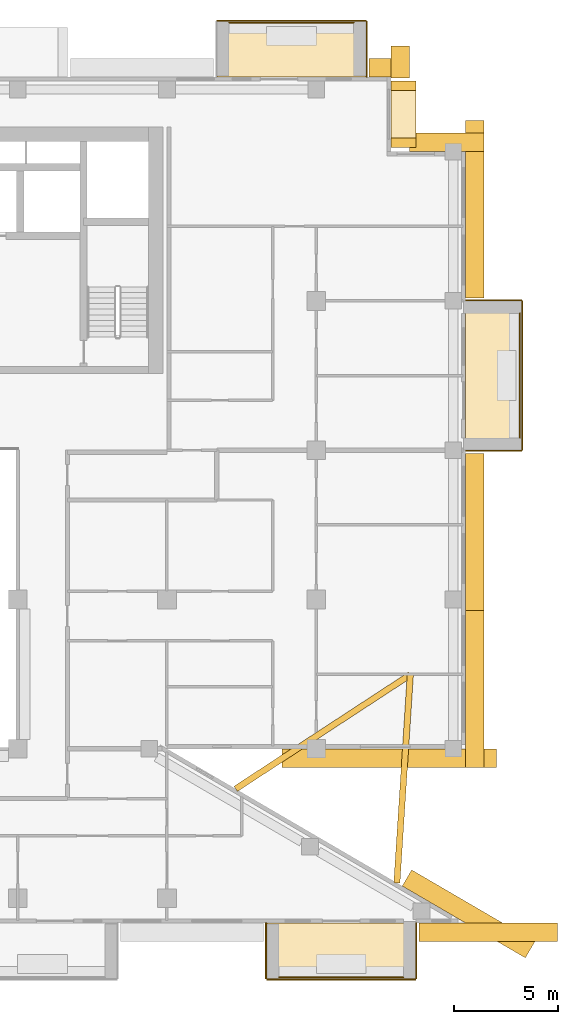
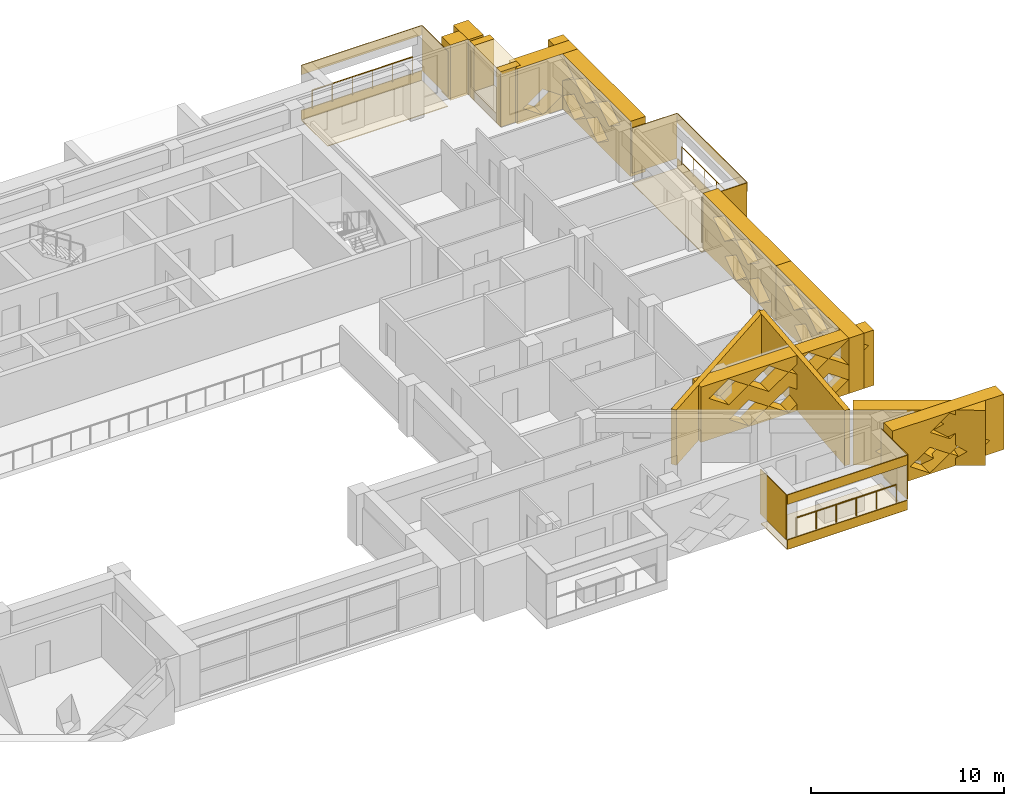
# One storey, part 20 of 20: 29 coverings, 3 railings.
"""IFC4 building model written with IfcOpenShell, lengths in metres."""

import ifcopenshell
import ifcopenshell.guid

model = None  # the IFC model being written
_history = None  # IfcOwnerHistory: only IFC2X3 demands one
_inside = {}  # id of a spatial element -> (the spatial element, [elements in it])
_under = {}  # id of a project, library or spatial element -> (it, [spatial elements below it])
_declared = {}  # id of a project -> (the project, [libraries it declares])
_typed = {}  # id of a type object -> (the type object, [elements of that type])
_made_of = {}  # id of a material, layer set ... -> (it, [elements and type objects made of it])


def new_model(schema):
    """Start an empty IFC model of exactly this schema.

    Asked for "IFC4X3", IfcOpenShell would pick the latest addendum, in which some entities
    have other attributes; the version numbers below select the first issue.
    IFC2X3 requires an IfcOwnerHistory on every rooted entity: one is made here for all.
    """
    global model, _history
    if schema == "IFC4X3":
        model = ifcopenshell.file(schema_version=(4, 3, 0, 0))
    else:
        model = ifcopenshell.file(schema=schema)
    _inside.clear()
    _under.clear()
    _declared.clear()
    _typed.clear()
    _made_of.clear()
    _history = None
    if model.schema == "IFC2X3":
        org = make("IfcOrganization", Name="unknown")
        user = make(
            "IfcPersonAndOrganization",
            ThePerson=make("IfcPerson", FamilyName="unknown"),
            TheOrganization=org,
        )
        app = make(
            "IfcApplication",
            ApplicationDeveloper=org,
            Version="unknown",
            ApplicationFullName="unknown",
            ApplicationIdentifier="unknown",
        )
        _history = make(
            "IfcOwnerHistory",
            OwningUser=user,
            OwningApplication=app,
            ChangeAction="ADDED",
            CreationDate=0,
        )
    return model


def make(cls, **values):
    """One entity of the class cls with the attributes given. An attribute that is None is left unset."""
    return model.create_entity(
        cls, **{name: value for name, value in values.items() if value is not None}
    )


def rooted(cls, **values):
    """An entity with a GlobalId (a new one), such as an element, a storey or a relation."""
    return make(cls, GlobalId=ifcopenshell.guid.new(), OwnerHistory=_history, **values)


def si_unit(unit_type, name, prefix=None):
    """IfcSIUnit, for example si_unit("LENGTHUNIT", "METRE", prefix="MILLI")."""
    return make("IfcSIUnit", UnitType=unit_type, Prefix=prefix, Name=name)


def assignment(units):
    """IfcUnitAssignment: the units of a project."""
    return None if units is None else make("IfcUnitAssignment", Units=units)


def point(xyz):
    """IfcCartesianPoint."""
    return None if xyz is None else make("IfcCartesianPoint", Coordinates=xyz)


def direction(xyz):
    """IfcDirection."""
    return None if xyz is None else make("IfcDirection", DirectionRatios=xyz)


def frame(location, z_axis=None, x_axis=None):
    """IfcAxis2Placement3D, a coordinate frame: its origin and axes. An axis left out is left unset."""
    return make(
        "IfcAxis2Placement3D",
        Location=point(location),
        Axis=direction(z_axis),
        RefDirection=direction(x_axis),
    )


def frame_2d(location, x_axis=None):
    """IfcAxis2Placement2D, a coordinate frame in the plane: its origin and x axis."""
    return make(
        "IfcAxis2Placement2D", Location=point(location), RefDirection=direction(x_axis)
    )


def origin():
    """The frame at (0, 0, 0) with its axes left unset."""
    return frame((0.0, 0.0, 0.0))


def origin_2d():
    """The frame at (0, 0) in the plane with its x axis left unset."""
    return frame_2d((0.0, 0.0))


def place(relative_to, where):
    """IfcLocalPlacement: puts the frame where relative to a parent placement (None: the world)."""
    return make(
        "IfcLocalPlacement", PlacementRelTo=relative_to, RelativePlacement=where
    )


def context(
    kind, dimensions, precision=None, world=None, true_north=None, identifier=None
):
    """IfcGeometricRepresentationContext, for example the 3D "Model" context."""
    return make(
        "IfcGeometricRepresentationContext",
        ContextIdentifier=identifier,
        ContextType=kind,
        CoordinateSpaceDimension=dimensions,
        Precision=precision,
        WorldCoordinateSystem=world,
        TrueNorth=true_north,
    )


def subcontext(parent, identifier, kind, view, scale=None):
    """IfcGeometricRepresentationSubContext, for example "Body" below "Model"."""
    return make(
        "IfcGeometricRepresentationSubContext",
        ContextIdentifier=identifier,
        ContextType=kind,
        ParentContext=parent,
        TargetScale=scale,
        TargetView=view,
    )


def project(units=None, contexts=None):
    """IfcProject with its units and contexts."""
    return rooted(
        "IfcProject",
        Name="project",
        RepresentationContexts=contexts,
        UnitsInContext=assignment(units),
    )


def spatial(cls, under=None, at=None, **own):
    """A site, building, storey or space (cls), placed at a placement, below another one or the project."""
    s = rooted(cls, ObjectPlacement=at, **own)
    if under is not None:
        _under.setdefault(under.id(), (under, []))[1].append(s)
    return s


def polyline(points):
    """IfcPolyline through the points."""
    return make("IfcPolyline", Points=[point(p) for p in points])


def profile(cls, at=None, kind="AREA", **sizes):
    """A parametric profile (cls). Its sizes go by their IFC names, for example OverallWidth=200.0."""
    return make(cls, ProfileType=kind, Position=at, **sizes)


def circle(**sizes):
    """IfcCircleProfileDef."""
    return profile("IfcCircleProfileDef", **sizes)


def outline(outer, holes=None, kind="AREA"):
    """IfcArbitraryClosedProfileDef: a profile drawn as a closed curve; with holes, ...WithVoids."""
    if holes is None:
        return make("IfcArbitraryClosedProfileDef", ProfileType=kind, OuterCurve=outer)
    return make(
        "IfcArbitraryProfileDefWithVoids",
        ProfileType=kind,
        OuterCurve=outer,
        InnerCurves=holes,
    )


def extrude(swept, where, along, depth):
    """IfcExtrudedAreaSolid: the profile swept, set in the frame where, extruded along a direction by depth."""
    return make(
        "IfcExtrudedAreaSolid",
        SweptArea=swept,
        Position=where,
        ExtrudedDirection=direction(along),
        Depth=depth,
    )


def shape(context_of_items, identifier, shape_type, items):
    """IfcShapeRepresentation: the items that make up one representation, for example the "Body"."""
    return make(
        "IfcShapeRepresentation",
        ContextOfItems=context_of_items,
        RepresentationIdentifier=identifier,
        RepresentationType=shape_type,
        Items=items,
    )


def material(Name=None, Category=None):
    """IfcMaterial."""
    return make("IfcMaterial", Name=Name, Category=Category)


def layer(
    of_material, thickness, ventilated=None, Name=None, Category=None, Priority=None
):
    """IfcMaterialLayer: one layer of a wall or slab, of a material (None: an air gap)."""
    return make(
        "IfcMaterialLayer",
        Material=of_material,
        LayerThickness=thickness,
        IsVentilated=ventilated,
        Name=Name,
        Category=Category,
        Priority=Priority,
    )


def layer_set(layers, Name=None):
    """IfcMaterialLayerSet."""
    return make("IfcMaterialLayerSet", MaterialLayers=layers, LayerSetName=Name)


def made_of(thing, what):
    """Note that an element or type object is made of a material, layer set ...; save() writes the relation."""
    if what is not None:
        _made_of.setdefault(what.id(), (what, []))[1].append(thing)
    return thing


def type_object(cls, material=None, **own):
    """A type object (cls), such as IfcWallType, which elements share."""
    return made_of(rooted(cls, **own), material)


def element(
    cls,
    number,
    at=None,
    inside=None,
    cuts=None,
    type_object=None,
    material=None,
    context=None,
    identifier="Body",
    shape_type=None,
    held_by="IfcProductDefinitionShape",
    body=None,
    shapes=None,
    **own,
):
    """One element of the class cls, such as IfcWall. Its Tag is "e" and its number.

    at: its placement. inside: the storey or other place that contains it. cuts: it is an
    opening in that element (IfcRelVoidsElement). A single representation is given by context,
    identifier, shape_type and body (its items); several are given by shapes. held_by: the class
    of the entity that holds the representations. save() writes the other relations.
    """
    e = rooted(cls, Tag="e%d" % number, ObjectPlacement=at, **own)
    if body is not None:
        shapes = [shape(context, identifier, shape_type, body)]
    if shapes is not None:
        e.Representation = make(held_by, Representations=shapes)
    if inside is not None:
        _inside.setdefault(inside.id(), (inside, []))[1].append(e)
    if cuts is not None:
        rooted(
            "IfcRelVoidsElement", RelatingBuildingElement=cuts, RelatedOpeningElement=e
        )
    if type_object is not None:
        _typed.setdefault(type_object.id(), (type_object, []))[1].append(e)
    return made_of(e, material)


def aggregate(whole, parts):
    """IfcRelAggregates: a whole, such as a stair, and the parts it consists of."""
    return rooted("IfcRelAggregates", RelatingObject=whole, RelatedObjects=parts)


def save(model, path):
    """Write the relations noted so far, then the file.

    IfcRelAggregates (storeys below a building ...), IfcRelContainedInSpatialStructure (elements
    in a storey), IfcRelDefinesByType, IfcRelAssociatesMaterial and IfcRelDeclares: one each for
    every whole, place, type object, material and project.
    """
    for whole, parts in _under.values():
        aggregate(whole, parts)
    for where, things in _inside.values():
        rooted(
            "IfcRelContainedInSpatialStructure",
            RelatedElements=things,
            RelatingStructure=where,
        )
    for kind, things in _typed.values():
        rooted("IfcRelDefinesByType", RelatedObjects=things, RelatingType=kind)
    for what, things in _made_of.values():
        rooted("IfcRelAssociatesMaterial", RelatedObjects=things, RelatingMaterial=what)
    for by, libraries in _declared.values():
        rooted("IfcRelDeclares", RelatingContext=by, RelatedDefinitions=libraries)
    model.write(path)


model = new_model("IFC4")

# Units and contexts
model_context = context("Model", 3, precision=1e-05, world=origin(), true_north=direction((0.0, 1.0)))
body_context = subcontext(model_context, "Body", "Model", "MODEL_VIEW")
ifc_project = project(units=[si_unit("LENGTHUNIT", "METRE"), si_unit("AREAUNIT", "SQUARE_METRE"), si_unit("VOLUMEUNIT", "CUBIC_METRE"), si_unit("PLANEANGLEUNIT", "RADIAN"), si_unit("MASSUNIT", "GRAM", prefix="KILO")], contexts=[model_context])

# Site, building, storey
site_placement = place(None, origin())
site = spatial("IfcSite", under=ifc_project, at=site_placement, CompositionType="ELEMENT")
building_placement = place(site_placement, origin())
building = spatial("IfcBuilding", under=site, at=building_placement, Name="Saffron Iwan Residences", CompositionType="ELEMENT")
storey_placement = place(building_placement, frame((0.0, 0.0, 192.0)))
storey = spatial("IfcBuildingStorey", under=building, at=storey_placement, Name="L51", CompositionType="ELEMENT", Elevation=192.0)

# Railings
ifc_material_1 = material(Name="Stainless steel 316", Category="steel")
railing_type = type_object("IfcRailingType", Name="BALCONY GUARD 1150", PredefinedType="GUARDRAIL", material=ifc_material_1)
railing_1_placement = place(storey_placement, frame((89.02490234375, 63.0, 0.0)))
element("IfcRailing", 1, at=railing_1_placement, inside=storey, type_object=railing_type, Name="Balcony guard L51 F2-0", PredefinedType="GUARDRAIL", context=body_context, shape_type="SweptSolid", body=[
    extrude(circle(Radius=0.02392578125, at=origin_2d()), frame((0.0, 0.0, 1.1259765625), z_axis=(0.0, 1.0, 0.0), x_axis=(-1.0, 0.0, 0.0)), (0.0, 0.0, 1.0), 6.0),
    extrude(circle(Radius=0.02099609375, at=origin_2d()), origin(), (0.0, 0.0, 1.0), 1.101806640625),
    extrude(circle(Radius=0.02099609375, at=origin_2d()), frame((0.0, 1.199951171875, 0.0)), (0.0, 0.0, 1.0), 1.101806640625),
    extrude(circle(Radius=0.02099609375, at=origin_2d()), frame((0.0, 2.39990234375, 0.0)), (0.0, 0.0, 1.0), 1.101806640625),
    extrude(circle(Radius=0.02099609375, at=origin_2d()), frame((0.0, 3.60009765625, 0.0)), (0.0, 0.0, 1.0), 1.101806640625),
    extrude(circle(Radius=0.02099609375, at=origin_2d()), frame((0.0, 4.800048828125, 0.0)), (0.0, 0.0, 1.0), 1.101806640625),
    extrude(circle(Radius=0.02099609375, at=origin_2d()), frame((0.0, 6.0, 0.0)), (0.0, 0.0, 1.0), 1.101806640625),
])
railing_2_placement = place(storey_placement, frame((81.0, 83.02490234375, 0.0)))
element("IfcRailing", 2, at=railing_2_placement, inside=storey, type_object=railing_type, Name="Balcony guard L51 F5-0", PredefinedType="GUARDRAIL", context=body_context, shape_type="SweptSolid", body=[
    extrude(circle(Radius=0.02392578125, at=origin_2d()), frame((0.0, 0.0, 1.1259765625), z_axis=(-1.0, 0.0, 0.0), x_axis=(0.0, -1.0, 0.0)), (0.0, 0.0, 1.0), 6.0),
    extrude(circle(Radius=0.02099609375, at=origin_2d()), origin(), (0.0, 0.0, 1.0), 1.101806640625),
    extrude(circle(Radius=0.02099609375, at=origin_2d()), frame((-1.199951171875, 0.0, 0.0)), (0.0, 0.0, 1.0), 1.101806640625),
    extrude(circle(Radius=0.02099609375, at=origin_2d()), frame((-2.39990234375, 0.0, 0.0)), (0.0, 0.0, 1.0), 1.101806640625),
    extrude(circle(Radius=0.02099609375, at=origin_2d()), frame((-3.60009765625, 0.0, 0.0)), (0.0, 0.0, 1.0), 1.101806640625),
    extrude(circle(Radius=0.02099609375, at=origin_2d()), frame((-4.800048828125, 0.0, 0.0)), (0.0, 0.0, 1.0), 1.101806640625),
    extrude(circle(Radius=0.02099609375, at=origin_2d()), frame((-6.0, 0.0, 0.0)), (0.0, 0.0, 1.0), 1.101806640625),
])
railing_3_placement = place(storey_placement, frame((77.39990234375, 36.97509765625, 0.0)))
element("IfcRailing", 3, at=railing_3_placement, inside=storey, type_object=railing_type, Name="Balcony guard L51 11-3", PredefinedType="GUARDRAIL", context=body_context, shape_type="SweptSolid", body=[
    extrude(circle(Radius=0.02392578125, at=origin_2d()), frame((0.0, 0.0, 1.1259765625), z_axis=(1.0, 0.0, 0.0), x_axis=(0.0, 1.0, 0.0)), (0.0, 0.0, 1.0), 6.0),
    extrude(circle(Radius=0.02099609375, at=origin_2d()), origin(), (0.0, 0.0, 1.0), 1.101806640625),
    extrude(circle(Radius=0.02099609375, at=origin_2d()), frame((1.199951171875, 0.0, 0.0)), (0.0, 0.0, 1.0), 1.101806640625),
    extrude(circle(Radius=0.02099609375, at=origin_2d()), frame((2.39990234375, 0.0, 0.0)), (0.0, 0.0, 1.0), 1.101806640625),
    extrude(circle(Radius=0.02099609375, at=origin_2d()), frame((3.60009765625, 0.0, 0.0)), (0.0, 0.0, 1.0), 1.101806640625),
    extrude(circle(Radius=0.02099609375, at=origin_2d()), frame((4.800048828125, 0.0, 0.0)), (0.0, 0.0, 1.0), 1.101806640625),
    extrude(circle(Radius=0.02099609375, at=origin_2d()), frame((6.0, 0.0, 0.0)), (0.0, 0.0, 1.0), 1.101806640625),
])

# Coverings
ifc_material_2 = material(Name="Precast concrete C40/50 white painted", Category="concrete")
ifc_layer_1 = layer(ifc_material_2, 0.050048828125)
ifc_layer_set_1 = layer_set([ifc_layer_1], Name="Precast concrete C40/50 white painted")
covering_type_1 = type_object("IfcCoveringType", Name="FRAME SKIN PRECAST WHITE 50", PredefinedType="CLADDING", material=ifc_layer_set_1)
for number, where, name in (
    (4, (0.0, 0.0, -0.60009765625), "Frame skin slab edge L51 F2-0"),
    (5, (0.0, 0.0, 2.25), "Frame skin fascia L51 F2-0"),
):
    element("IfcCovering", number, at=place(storey_placement, frame(where)), inside=storey, type_object=covering_type_1, Name=name, PredefinedType="CLADDING", context=body_context, shape_type="SweptSolid", body=[
        extrude(outline(polyline([(89.14990234375, 62.39990234375), (89.14990234375, 69.60009765625), (89.10009765625, 69.60009765625), (89.10009765625, 62.39990234375), (89.14990234375, 62.39990234375)])), origin(), (0.0, 0.0, 1.0), 0.60009765625),
    ])
covering_1_placement = place(storey_placement, frame((0.0, 0.0, -0.64990234375)))
element("IfcCovering", 6, at=covering_1_placement, inside=storey, type_object=covering_type_1, Name="Frame skin soffit L51 F2-0", PredefinedType="CLADDING", context=body_context, shape_type="SweptSolid", body=[
    extrude(outline(polyline([(89.10009765625, 62.39990234375), (89.10009765625, 69.60009765625), (86.39990234375, 69.60009765625), (86.39990234375, 62.39990234375), (89.10009765625, 62.39990234375)])), origin(), (0.0, 0.0, 1.0), 0.0498046875),
])
covering_2_placement = place(storey_placement, origin())
element("IfcCovering", 7, at=covering_2_placement, inside=storey, type_object=covering_type_1, Name="Frame skin fin L51 F2-0a", PredefinedType="CLADDING", context=body_context, shape_type="SweptSolid", body=[
    extrude(outline(polyline([(89.10009765625, 62.35009765625), (89.10009765625, 62.39990234375), (86.39990234375, 62.39990234375), (86.39990234375, 62.35009765625), (89.10009765625, 62.35009765625)])), origin(), (0.0, 0.0, 1.0), 2.85009765625),
])
covering_3_placement = place(storey_placement, origin())
element("IfcCovering", 8, at=covering_3_placement, inside=storey, type_object=covering_type_1, Name="Frame skin fin L51 F2-0b", PredefinedType="CLADDING", context=body_context, shape_type="SweptSolid", body=[
    extrude(outline(polyline([(89.10009765625, 69.60009765625), (89.10009765625, 69.64990234375), (86.39990234375, 69.64990234375), (86.39990234375, 69.60009765625), (89.10009765625, 69.60009765625)])), origin(), (0.0, 0.0, 1.0), 2.85009765625),
])
for number, where, name in (
    (9, (0.0, 0.0, -0.60009765625), "Frame skin slab edge L51 F5-0"),
    (10, (0.0, 0.0, 2.25), "Frame skin fascia L51 F5-0"),
):
    element("IfcCovering", number, at=place(storey_placement, frame(where)), inside=storey, type_object=covering_type_1, Name=name, PredefinedType="CLADDING", context=body_context, shape_type="SweptSolid", body=[
        extrude(outline(polyline([(81.60009765625, 83.14990234375), (74.39990234375, 83.14990234375), (74.39990234375, 83.10009765625), (81.60009765625, 83.10009765625), (81.60009765625, 83.14990234375)])), origin(), (0.0, 0.0, 1.0), 0.60009765625),
    ])
covering_4_placement = place(storey_placement, frame((0.0, 0.0, -0.64990234375)))
element("IfcCovering", 11, at=covering_4_placement, inside=storey, type_object=covering_type_1, Name="Frame skin soffit L51 F5-0", PredefinedType="CLADDING", context=body_context, shape_type="SweptSolid", body=[
    extrude(outline(polyline([(81.60009765625, 83.10009765625), (74.39990234375, 83.10009765625), (74.39990234375, 80.39990234375), (81.60009765625, 80.39990234375), (81.60009765625, 83.10009765625)])), origin(), (0.0, 0.0, 1.0), 0.0498046875),
])
covering_5_placement = place(storey_placement, origin())
element("IfcCovering", 12, at=covering_5_placement, inside=storey, type_object=covering_type_1, Name="Frame skin fin L51 F5-0a", PredefinedType="CLADDING", context=body_context, shape_type="SweptSolid", body=[
    extrude(outline(polyline([(81.64990234375, 83.10009765625), (81.60009765625, 83.10009765625), (81.60009765625, 80.39990234375), (81.64990234375, 80.39990234375), (81.64990234375, 83.10009765625)])), origin(), (0.0, 0.0, 1.0), 2.85009765625),
])
for number, where, name in (
    (13, (0.0, 0.0, -0.60009765625), "Frame skin slab edge L51 11-3"),
    (14, (0.0, 0.0, 2.25), "Frame skin fascia L51 11-3"),
):
    element("IfcCovering", number, at=place(storey_placement, frame(where)), inside=storey, type_object=covering_type_1, Name=name, PredefinedType="CLADDING", context=body_context, shape_type="SweptSolid", body=[
        extrude(outline(polyline([(76.800048828125, 36.85009765625), (84.0, 36.85009765625), (84.0, 36.89990234375), (76.800048828125, 36.89990234375), (76.800048828125, 36.85009765625)])), origin(), (0.0, 0.0, 1.0), 0.60009765625),
    ])
covering_6_placement = place(storey_placement, frame((0.0, 0.0, -0.64990234375)))
element("IfcCovering", 15, at=covering_6_placement, inside=storey, type_object=covering_type_1, Name="Frame skin soffit L51 11-3", PredefinedType="CLADDING", context=body_context, shape_type="SweptSolid", body=[
    extrude(outline(polyline([(76.800048828125, 36.89990234375), (84.0, 36.89990234375), (84.0, 39.60009765625), (76.800048828125, 39.60009765625), (76.800048828125, 36.89990234375)])), origin(), (0.0, 0.0, 1.0), 0.0498046875),
])
covering_7_placement = place(storey_placement, origin())
element("IfcCovering", 16, at=covering_7_placement, inside=storey, type_object=covering_type_1, Name="Frame skin fin L51 11-3a", PredefinedType="CLADDING", context=body_context, shape_type="SweptSolid", body=[
    extrude(outline(polyline([(76.75, 36.89990234375), (76.800048828125, 36.89990234375), (76.800048828125, 39.60009765625), (76.75, 39.60009765625), (76.75, 36.89990234375)])), origin(), (0.0, 0.0, 1.0), 2.85009765625),
])
covering_8_placement = place(storey_placement, origin())
element("IfcCovering", 17, at=covering_8_placement, inside=storey, type_object=covering_type_1, Name="Frame skin fin L51 11-3b", PredefinedType="CLADDING", context=body_context, shape_type="SweptSolid", body=[
    extrude(outline(polyline([(84.0, 36.89990234375), (84.050048828125, 36.89990234375), (84.050048828125, 39.60009765625), (84.0, 39.60009765625), (84.0, 36.89990234375)])), origin(), (0.0, 0.0, 1.0), 2.85009765625),
])
ifc_material_3 = material(Name="Precast concrete C40/50", Category="concrete")
covering_type_2 = type_object("IfcCoveringType", Name="OUTER SKIN LATTICE SCREEN", PredefinedType="CLADDING", material=ifc_material_3)
covering_9_placement = place(storey_placement, frame((89.283935546875, 37.917724609375, -0.300048828125), z_axis=(0.503803550485, 0.863818257806, 0.0), x_axis=(-0.863818257806, 0.503803550485, 0.0)))
element("IfcCovering", 18, at=covering_9_placement, inside=storey, type_object=covering_type_2, Name="OUTER SKIN lattice screen L51 F0.0", PredefinedType="CLADDING", context=body_context, shape_type="SweptSolid", body=[
    extrude(outline(polyline([(0.0, 0.0), (6.874267578125, 0.0), (6.874267578125, 3.5), (0.0, 3.5), (0.0, 0.0)]), holes=[polyline([(0.958740234375, 0.875), (2.138671875, 0.06005859375), (3.318603515625, 0.875), (2.138671875, 1.68994140625), (0.958740234375, 0.875)]), polyline([(3.358642578125, 0.875), (4.538818359375, 0.06005859375), (5.71875, 0.875), (4.538818359375, 1.68994140625), (3.358642578125, 0.875)]), polyline([(2.15869140625, 2.625), (3.338623046875, 1.81005859375), (4.518798828125, 2.625), (3.338623046875, 3.43994140625), (2.15869140625, 2.625)])]), origin(), (0.0, 0.0, 1.0), 0.89990234375),
])
covering_10_placement = place(storey_placement, frame((77.538818359375, 48.0, -0.300048828125), z_axis=(0.0, -1.0, 0.0), x_axis=(1.0, 0.0, 0.0)))
element("IfcCovering", 19, at=covering_10_placement, inside=storey, type_object=covering_type_2, Name="OUTER SKIN lattice screen L51 F1.0", PredefinedType="CLADDING", context=body_context, shape_type="SweptSolid", body=[
    extrude(outline(polyline([(0.0, 0.0), (10.361328125, 0.0), (10.361328125, 3.5), (0.0, 3.5), (0.0, 0.0)]), holes=[polyline([(1.681396484375, 0.875), (2.861328125, 0.06005859375), (4.041259765625, 0.875), (2.861328125, 1.68994140625), (1.681396484375, 0.875)]), polyline([(4.081298828125, 0.875), (5.26123046875, 0.06005859375), (6.44140625, 0.875), (5.26123046875, 1.68994140625), (4.081298828125, 0.875)]), polyline([(6.481201171875, 0.875), (7.661376953125, 0.06005859375), (8.84130859375, 0.875), (7.661376953125, 1.68994140625), (6.481201171875, 0.875)]), polyline([(0.481201171875, 2.625), (1.661376953125, 1.81005859375), (2.84130859375, 2.625), (1.661376953125, 3.43994140625), (0.481201171875, 2.625)]), polyline([(2.88134765625, 2.625), (4.061279296875, 1.81005859375), (5.2412109375, 2.625), (4.061279296875, 3.43994140625), (2.88134765625, 2.625)]), polyline([(5.28125, 2.625), (6.461181640625, 1.81005859375), (7.641357421875, 2.625), (6.461181640625, 3.43994140625), (5.28125, 2.625)]), polyline([(7.681396484375, 2.625), (8.861328125, 1.81005859375), (10.041259765625, 2.625), (8.861328125, 3.43994140625), (7.681396484375, 2.625)])]), origin(), (0.0, 0.0, 1.0), 0.89990234375),
])
covering_11_placement = place(storey_placement, frame((86.39990234375, 47.10009765625, -0.300048828125), z_axis=(1.0, 0.0, 0.0), x_axis=(0.0, 1.0, 0.0)))
element("IfcCovering", 20, at=covering_11_placement, inside=storey, type_object=covering_type_2, Name="OUTER SKIN lattice screen L51 F2.0", PredefinedType="CLADDING", context=body_context, shape_type="SweptSolid", body=[
    extrude(outline(polyline([(0.0, 0.0), (7.574951171875, 0.0), (7.574951171875, 3.5), (0.0, 3.5), (0.0, 0.0)]), holes=[polyline([(0.919921875, 0.875), (2.10009765625, 0.06005859375), (3.280029296875, 0.875), (2.10009765625, 1.68994140625), (0.919921875, 0.875)]), polyline([(3.320068359375, 0.875), (4.5, 0.06005859375), (5.679931640625, 0.875), (4.5, 1.68994140625), (3.320068359375, 0.875)]), polyline([(2.1201171875, 2.625), (3.300048828125, 1.81005859375), (4.47998046875, 2.625), (3.300048828125, 3.43994140625), (2.1201171875, 2.625)]), polyline([(4.52001953125, 2.625), (5.699951171875, 1.81005859375), (6.8798828125, 2.625), (5.699951171875, 3.43994140625), (4.52001953125, 2.625)])]), origin(), (0.0, 0.0, 1.0), 0.900146484375),
])
covering_12_placement = place(storey_placement, frame((86.39990234375, 54.675048828125, -0.300048828125), z_axis=(1.0, 0.0, 0.0), x_axis=(0.0, 1.0, 0.0)))
element("IfcCovering", 21, at=covering_12_placement, inside=storey, type_object=covering_type_2, Name="OUTER SKIN lattice screen L51 F2.1", PredefinedType="CLADDING", context=body_context, shape_type="SweptSolid", body=[
    extrude(outline(polyline([(0.0, 0.0), (7.574951171875, 0.0), (7.574951171875, 3.5), (0.0, 3.5), (0.0, 0.0)]), holes=[polyline([(0.544921875, 0.875), (1.72509765625, 0.06005859375), (2.905029296875, 0.875), (1.72509765625, 1.68994140625), (0.544921875, 0.875)]), polyline([(2.945068359375, 0.875), (4.125, 0.06005859375), (5.304931640625, 0.875), (4.125, 1.68994140625), (2.945068359375, 0.875)]), polyline([(1.7451171875, 2.625), (2.925048828125, 1.81005859375), (4.10498046875, 2.625), (2.925048828125, 3.43994140625), (1.7451171875, 2.625)]), polyline([(4.14501953125, 2.625), (5.324951171875, 1.81005859375), (6.5048828125, 2.625), (5.324951171875, 3.43994140625), (4.14501953125, 2.625)])]), origin(), (0.0, 0.0, 1.0), 0.900146484375),
])
covering_13_placement = place(storey_placement, frame((86.39990234375, 69.75, -0.300048828125), z_axis=(1.0, 0.0, 0.0), x_axis=(0.0, 1.0, 0.0)))
element("IfcCovering", 22, at=covering_13_placement, inside=storey, type_object=covering_type_2, Name="OUTER SKIN lattice screen L51 F2.2", PredefinedType="CLADDING", context=body_context, shape_type="SweptSolid", body=[
    extrude(outline(polyline([(0.0, 0.0), (8.550048828125, 0.0), (8.550048828125, 3.5), (0.0, 3.5), (0.0, 0.0)]), holes=[polyline([(2.27001953125, 0.875), (3.449951171875, 0.06005859375), (4.6298828125, 0.875), (3.449951171875, 1.68994140625), (2.27001953125, 0.875)]), polyline([(4.669921875, 0.875), (5.85009765625, 0.06005859375), (7.030029296875, 0.875), (5.85009765625, 1.68994140625), (4.669921875, 0.875)]), polyline([(1.070068359375, 2.625), (2.25, 1.81005859375), (3.429931640625, 2.625), (2.25, 3.43994140625), (1.070068359375, 2.625)]), polyline([(3.469970703125, 2.625), (4.64990234375, 1.81005859375), (5.830078125, 2.625), (4.64990234375, 3.43994140625), (3.469970703125, 2.625)]), polyline([(5.8701171875, 2.625), (7.050048828125, 1.81005859375), (8.22998046875, 2.625), (7.050048828125, 3.43994140625), (5.8701171875, 2.625)])]), origin(), (0.0, 0.0, 1.0), 0.900146484375),
])
covering_14_placement = place(storey_placement, frame((87.300048828125, 76.800048828125, -0.300048828125), z_axis=(0.0, 1.0, 0.0), x_axis=(-1.0, 0.0, 0.0)))
element("IfcCovering", 23, at=covering_14_placement, inside=storey, type_object=covering_type_2, Name="OUTER SKIN lattice screen L51 F3.0", PredefinedType="CLADDING", context=body_context, shape_type="SweptSolid", body=[
    extrude(outline(polyline([(0.0, 0.0), (3.60009765625, 0.0), (3.60009765625, 3.5), (0.0, 3.5), (0.0, 0.0)]), holes=[polyline([(0.919921875, 0.875), (2.10009765625, 0.06005859375), (3.280029296875, 0.875), (2.10009765625, 1.68994140625), (0.919921875, 0.875)])]), origin(), (0.0, 0.0, 1.0), 0.89990234375),
])
covering_15_placement = place(storey_placement, frame((82.800048828125, 80.35009765625, -0.300048828125), z_axis=(1.0, 0.0, 0.0), x_axis=(0.0, 1.0, 0.0)))
element("IfcCovering", 24, at=covering_15_placement, inside=storey, type_object=covering_type_2, Name="OUTER SKIN lattice screen L51 F4.0", PredefinedType="CLADDING", context=body_context, shape_type="SweptSolid", body=[
    extrude(outline(polyline([(0.0, 0.0), (1.550048828125, 0.0), (1.550048828125, 3.5), (0.0, 3.5), (0.0, 0.0)])), origin(), (0.0, 0.0, 1.0), 0.89990234375),
])
covering_16_placement = place(storey_placement, frame((83.699951171875, 80.39990234375, -0.300048828125), z_axis=(0.0, 1.0, 0.0), x_axis=(-1.0, 0.0, 0.0)))
element("IfcCovering", 25, at=covering_16_placement, inside=storey, type_object=covering_type_2, Name="OUTER SKIN lattice screen L51 F5.0", PredefinedType="CLADDING", context=body_context, shape_type="SweptSolid", body=[
    extrude(outline(polyline([(0.0, 0.0), (1.949951171875, 0.0), (1.949951171875, 3.5), (0.0, 3.5), (0.0, 0.0)])), origin(), (0.0, 0.0, 1.0), 0.900146484375),
])
covering_17_placement = place(storey_placement, frame((84.14990234375, 39.60009765625, -0.300048828125), z_axis=(0.0, -1.0, 0.0), x_axis=(1.0, 0.0, 0.0)))
element("IfcCovering", 26, at=covering_17_placement, inside=storey, type_object=covering_type_2, Name="OUTER SKIN lattice screen L51 F11.5", PredefinedType="CLADDING", context=body_context, shape_type="SweptSolid", body=[
    extrude(outline(polyline([(0.0, 0.0), (6.688720703125, 0.0), (6.688720703125, 3.5), (0.0, 3.5), (0.0, 0.0)]), holes=[polyline([(1.070068359375, 0.875), (2.25, 0.06005859375), (3.429931640625, 0.875), (2.25, 1.68994140625), (1.070068359375, 0.875)]), polyline([(3.469970703125, 0.875), (4.64990234375, 0.06005859375), (5.830078125, 0.875), (4.64990234375, 1.68994140625), (3.469970703125, 0.875)]), polyline([(2.27001953125, 2.625), (3.449951171875, 1.81005859375), (4.6298828125, 2.625), (3.449951171875, 3.43994140625), (2.27001953125, 2.625)])]), origin(), (0.0, 0.0, 1.0), 0.900146484375),
])
ifc_layer_2 = layer(ifc_material_2, 0.300048828125)
ifc_layer_set_2 = layer_set([ifc_layer_2], Name="Precast concrete C40/50 white painted")
covering_type_3 = type_object("IfcCoveringType", Name="PROW NOSE BLADE PRECAST WHITE", PredefinedType="CLADDING", material=ifc_layer_set_2)
covering_18_placement = place(storey_placement, frame((0.0, 0.0, -0.300048828125)))
element("IfcCovering", 27, at=covering_18_placement, inside=storey, type_object=covering_type_3, Name="Prow nose blade L51 a", PredefinedType="CLADDING", context=body_context, shape_type="SweptSolid", body=[
    extrude(outline(polyline([(83.23681640625, 41.52294921875), (83.884521484375, 51.564453125), (83.585205078125, 51.583740234375), (82.937255859375, 41.542236328125), (83.23681640625, 41.52294921875)])), origin(), (0.0, 0.0, 1.0), 3.5),
])
covering_19_placement = place(storey_placement, frame((0.0, 0.0, -0.300048828125)))
element("IfcCovering", 28, at=covering_19_placement, inside=storey, type_object=covering_type_3, Name="Prow nose blade L51 b", PredefinedType="CLADDING", context=body_context, shape_type="SweptSolid", body=[
    extrude(outline(polyline([(75.39501953125, 45.94189453125), (83.81689453125, 51.448486328125), (83.65283203125, 51.69970703125), (75.23095703125, 46.193115234375), (75.39501953125, 45.94189453125)])), origin(), (0.0, 0.0, 1.0), 3.5),
])
covering_type_4 = type_object("IfcCoveringType", Name="WHITE SUN FRAME PRECAST", PredefinedType="CLADDING", material=ifc_material_2)
for number, where, z_axis, x_axis, name in (
    (29, (82.800048828125, 77.0, -0.300048828125), (1.0, 0.0, 0.0), (0.0, 1.0, 0.0), "Sun frame L51 F4 0.2a"),
    (30, (82.800048828125, 79.75, -0.300048828125), (1.0, 0.0, 0.0), (0.0, 1.0, 0.0), "Sun frame L51 F4 0.2b"),
):
    element("IfcCovering", number, at=place(storey_placement, frame(where, z_axis=z_axis, x_axis=x_axis)), inside=storey, type_object=covering_type_4, Name=name, PredefinedType="CLADDING", context=body_context, shape_type="SweptSolid", body=[
        extrude(outline(polyline([(0.0, 0.0), (0.449951171875, 0.0), (0.449951171875, 3.5), (0.0, 3.5), (0.0, 0.0)])), origin(), (0.0, 0.0, 1.0), 1.199951171875),
    ])
for number, where, z_axis, x_axis, name in (
    (31, (82.800048828125, 77.449951171875, 2.60009765625), (1.0, 0.0, 0.0), (0.0, 1.0, 0.0), "Sun frame L51 F4 0.2h"),
    (32, (82.800048828125, 77.449951171875, -0.300048828125), (1.0, 0.0, 0.0), (0.0, 1.0, 0.0), "Sun frame L51 F4 0.2s"),
):
    element("IfcCovering", number, at=place(storey_placement, frame(where, z_axis=z_axis, x_axis=x_axis)), inside=storey, type_object=covering_type_4, Name=name, PredefinedType="CLADDING", context=body_context, shape_type="SweptSolid", body=[
        extrude(outline(polyline([(0.0, 0.0), (2.300048828125, 0.0), (2.300048828125, 0.60009765625), (0.0, 0.60009765625), (0.0, 0.0)])), origin(), (0.0, 0.0, 1.0), 1.199951171875),
    ])

save(model, "model.ifc")
